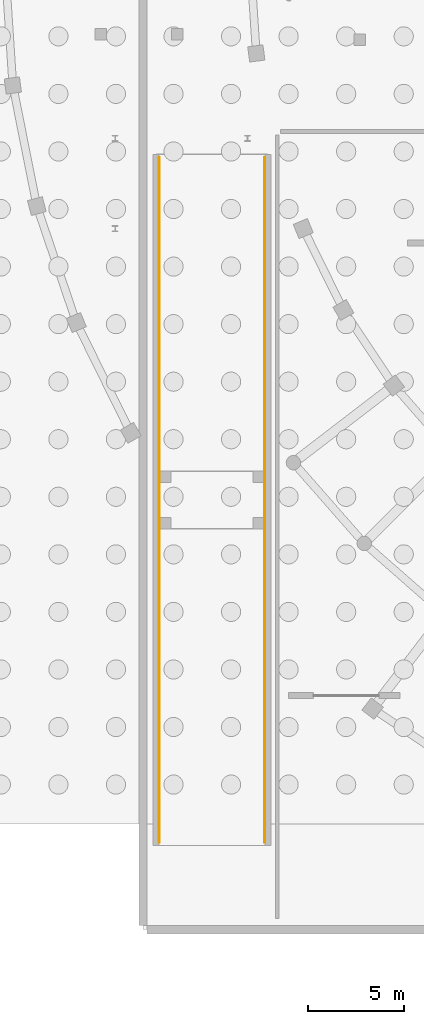
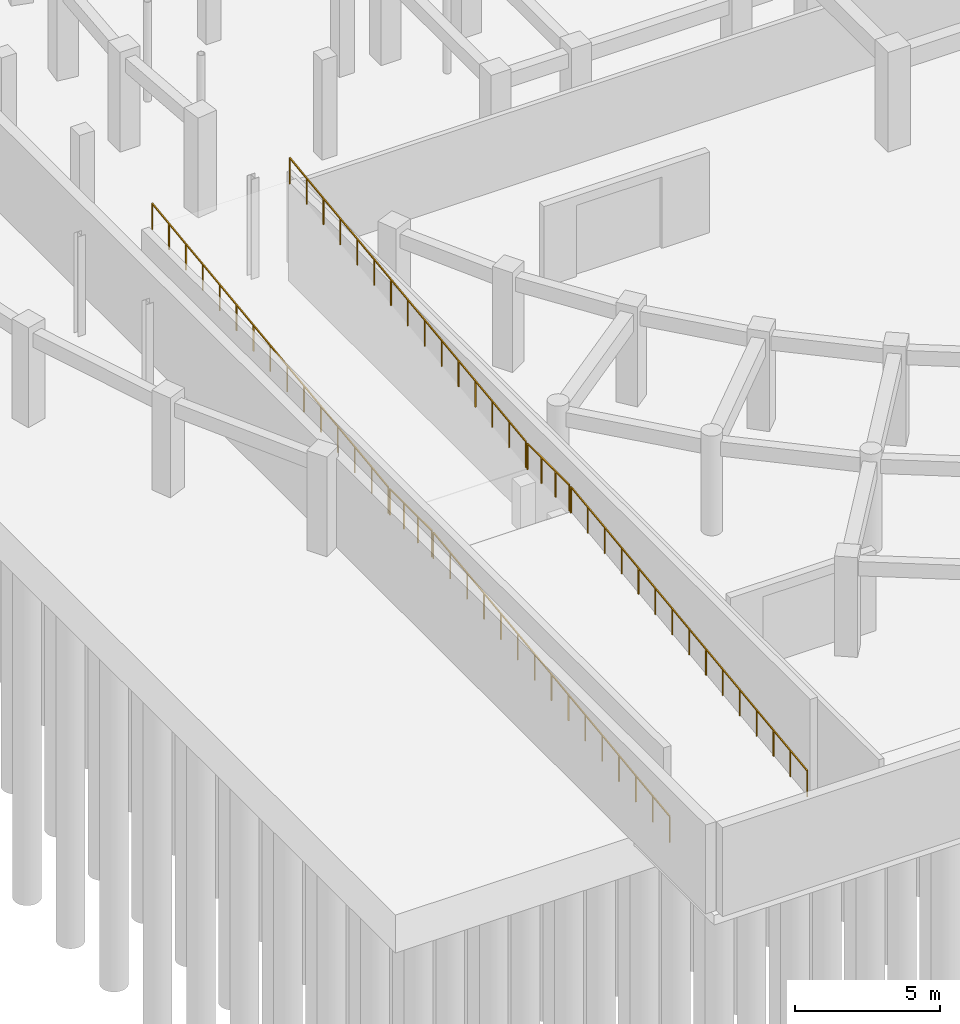
# One storey, part 29 of 33: 6 railings.
"""IFC4 building model written with IfcOpenShell, lengths in metres."""

from ifc_helpers import new_model, si_unit, direction, frame, origin, origin_2d, place, context, subcontext, project, spatial, rectangle, extrude, material, layer, layer_set, type_object, element, save


model = new_model("IFC4")

# Units and contexts
model_context = context("Model", 3, precision=1e-05, world=origin(), true_north=direction((0.0, 1.0)))
body_context = subcontext(model_context, "Body", "Model", "MODEL_VIEW")
ifc_project = project(units=[si_unit("LENGTHUNIT", "METRE"), si_unit("AREAUNIT", "SQUARE_METRE"), si_unit("VOLUMEUNIT", "CUBIC_METRE"), si_unit("PLANEANGLEUNIT", "RADIAN"), si_unit("MASSUNIT", "GRAM", prefix="KILO")], contexts=[model_context])

# Site, building, storey
site_placement = place(None, origin())
site = spatial("IfcSite", under=ifc_project, at=site_placement, CompositionType="ELEMENT")
building_placement = place(site_placement, origin())
building = spatial("IfcBuilding", under=site, at=building_placement, Name="Saryqyr Civic Hall", CompositionType="ELEMENT")
storey_placement = place(building_placement, frame((0.0, 0.0, -4.199951171875)))
storey = spatial("IfcBuildingStorey", under=building, at=storey_placement, Name="B1", CompositionType="ELEMENT", Elevation=-4.199951171875)

# Railings
ifc_material = material(Name="Warm brushed brass and laminated glass", Category="glass")
ifc_layer = layer(ifc_material, 0.06005859375, Name="Warm brushed brass and laminated glass")
ifc_layer_set = layer_set([ifc_layer], Name="Warm brushed brass and laminated glass")
railing_type = type_object("IfcRailingType", Name="INT-RLG-BAL-1100", PredefinedType="BALUSTRADE", material=ifc_layer_set)
railing_1_placement = place(storey_placement, frame((16.06005859375, 38.14990234375, 0.02001953125)))
element("IfcRailing", 1, at=railing_1_placement, inside=storey, type_object=railing_type, Name="Vehicle ramp lower run edge guard 1", PredefinedType="BALUSTRADE", context=body_context, shape_type="SweptSolid", body=[
    extrude(rectangle(XDim=0.048095703125, YDim=0.048095703125, at=origin_2d()), frame((0.0, 0.0, 1.09619140625), z_axis=(0.0, 0.992033906063, 0.125971144396), x_axis=(-1.0, 0.0, 0.0)), (0.0, 0.0, 1.0), 16.430908203125),
    extrude(rectangle(XDim=0.0419921875, YDim=0.0419921875, at=origin_2d()), origin(), (0.0, 0.0, 1.0), 1.072021484375),
    extrude(rectangle(XDim=0.0419921875, YDim=0.0419921875, at=origin_2d()), frame((0.0, 1.164306640625, 0.14794921875)), (0.0, 0.0, 1.0), 1.072021484375),
    extrude(rectangle(XDim=0.0419921875, YDim=0.0419921875, at=origin_2d()), frame((0.0, 2.32861328125, 0.295654296875)), (0.0, 0.0, 1.0), 1.072021484375),
    extrude(rectangle(XDim=0.0419921875, YDim=0.0419921875, at=origin_2d()), frame((0.0, 3.492919921875, 0.443603515625)), (0.0, 0.0, 1.0), 1.072021484375),
    extrude(rectangle(XDim=0.0419921875, YDim=0.0419921875, at=origin_2d()), frame((0.0, 4.6572265625, 0.59130859375)), (0.0, 0.0, 1.0), 1.072021484375),
    extrude(rectangle(XDim=0.0419921875, YDim=0.0419921875, at=origin_2d()), frame((0.0, 5.821533203125, 0.7392578125)), (0.0, 0.0, 1.0), 1.072021484375),
    extrude(rectangle(XDim=0.0419921875, YDim=0.0419921875, at=origin_2d()), frame((0.0, 6.98583984375, 0.886962890625)), (0.0, 0.0, 1.0), 1.072021484375),
    extrude(rectangle(XDim=0.0419921875, YDim=0.0419921875, at=origin_2d()), frame((0.0, 8.14990234375, 1.034912109375)), (0.0, 0.0, 1.0), 1.072021484375),
    extrude(rectangle(XDim=0.0419921875, YDim=0.0419921875, at=origin_2d()), frame((0.0, 9.314208984375, 1.182861328125)), (0.0, 0.0, 1.0), 1.072021484375),
    extrude(rectangle(XDim=0.0419921875, YDim=0.0419921875, at=origin_2d()), frame((0.0, 10.478515625, 1.33056640625)), (0.0, 0.0, 1.0), 1.072021484375),
    extrude(rectangle(XDim=0.0419921875, YDim=0.0419921875, at=origin_2d()), frame((0.0, 11.642822265625, 1.478515625)), (0.0, 0.0, 1.0), 1.072021484375),
    extrude(rectangle(XDim=0.0419921875, YDim=0.0419921875, at=origin_2d()), frame((0.0, 12.80712890625, 1.626220703125)), (0.0, 0.0, 1.0), 1.072021484375),
    extrude(rectangle(XDim=0.0419921875, YDim=0.0419921875, at=origin_2d()), frame((0.0, 13.971435546875, 1.774169921875)), (0.0, 0.0, 1.0), 1.072021484375),
    extrude(rectangle(XDim=0.0419921875, YDim=0.0419921875, at=origin_2d()), frame((0.0, 15.1357421875, 1.921875)), (0.0, 0.0, 1.0), 1.072021484375),
    extrude(rectangle(XDim=0.0419921875, YDim=0.0419921875, at=origin_2d()), frame((0.0, 16.300048828125, 2.06982421875)), (0.0, 0.0, 1.0), 1.072021484375),
])
railing_2_placement = place(storey_placement, frame((16.06005859375, 54.550048828125, 2.099853515625)))
element("IfcRailing", 2, at=railing_2_placement, inside=storey, type_object=railing_type, Name="Vehicle ramp half-landing edge guard 1", PredefinedType="BALUSTRADE", context=body_context, shape_type="SweptSolid", body=[
    extrude(rectangle(XDim=0.048095703125, YDim=0.048095703125, at=origin_2d()), frame((0.0, 0.0, 1.09619140625), z_axis=(0.0, 1.0, 0.0), x_axis=(-1.0, 0.0, 0.0)), (0.0, 0.0, 1.0), 2.89990234375),
    extrude(rectangle(XDim=0.0419921875, YDim=0.0419921875, at=origin_2d()), origin(), (0.0, 0.0, 1.0), 1.072021484375),
    extrude(rectangle(XDim=0.0419921875, YDim=0.0419921875, at=origin_2d()), frame((0.0, 0.966552734375, 0.0)), (0.0, 0.0, 1.0), 1.072021484375),
    extrude(rectangle(XDim=0.0419921875, YDim=0.0419921875, at=origin_2d()), frame((0.0, 1.933349609375, 0.0)), (0.0, 0.0, 1.0), 1.072021484375),
    extrude(rectangle(XDim=0.0419921875, YDim=0.0419921875, at=origin_2d()), frame((0.0, 2.89990234375, 0.0)), (0.0, 0.0, 1.0), 1.072021484375),
])
railing_3_placement = place(storey_placement, frame((16.06005859375, 57.550048828125, 2.10986328125)))
element("IfcRailing", 3, at=railing_3_placement, inside=storey, type_object=railing_type, Name="Vehicle ramp upper run edge guard 1", PredefinedType="BALUSTRADE", context=body_context, shape_type="SweptSolid", body=[
    extrude(rectangle(XDim=0.048095703125, YDim=0.048095703125, at=origin_2d()), frame((0.0, 0.0, 1.09619140625), z_axis=(0.0, 0.992032049116, 0.12598576716), x_axis=(-1.0, 0.0, 0.0)), (0.0, 0.0, 1.0), 16.430908203125),
    extrude(rectangle(XDim=0.0419921875, YDim=0.0419921875, at=origin_2d()), origin(), (0.0, 0.0, 1.0), 1.072021484375),
    extrude(rectangle(XDim=0.0419921875, YDim=0.0419921875, at=origin_2d()), frame((0.0, 1.164306640625, 0.14794921875)), (0.0, 0.0, 1.0), 1.072021484375),
    extrude(rectangle(XDim=0.0419921875, YDim=0.0419921875, at=origin_2d()), frame((0.0, 2.32861328125, 0.295654296875)), (0.0, 0.0, 1.0), 1.072021484375),
    extrude(rectangle(XDim=0.0419921875, YDim=0.0419921875, at=origin_2d()), frame((0.0, 3.492919921875, 0.443603515625)), (0.0, 0.0, 1.0), 1.072021484375),
    extrude(rectangle(XDim=0.0419921875, YDim=0.0419921875, at=origin_2d()), frame((0.0, 4.6572265625, 0.591552734375)), (0.0, 0.0, 1.0), 1.072021484375),
    extrude(rectangle(XDim=0.0419921875, YDim=0.0419921875, at=origin_2d()), frame((0.0, 5.821533203125, 0.7392578125)), (0.0, 0.0, 1.0), 1.072021484375),
    extrude(rectangle(XDim=0.0419921875, YDim=0.0419921875, at=origin_2d()), frame((0.0, 6.98583984375, 0.88720703125)), (0.0, 0.0, 1.0), 1.072021484375),
    extrude(rectangle(XDim=0.0419921875, YDim=0.0419921875, at=origin_2d()), frame((0.0, 8.14990234375, 1.03515625)), (0.0, 0.0, 1.0), 1.072021484375),
    extrude(rectangle(XDim=0.0419921875, YDim=0.0419921875, at=origin_2d()), frame((0.0, 9.314208984375, 1.182861328125)), (0.0, 0.0, 1.0), 1.072021484375),
    extrude(rectangle(XDim=0.0419921875, YDim=0.0419921875, at=origin_2d()), frame((0.0, 10.478515625, 1.330810546875)), (0.0, 0.0, 1.0), 1.072021484375),
    extrude(rectangle(XDim=0.0419921875, YDim=0.0419921875, at=origin_2d()), frame((0.0, 11.642822265625, 1.478515625)), (0.0, 0.0, 1.0), 1.072021484375),
    extrude(rectangle(XDim=0.0419921875, YDim=0.0419921875, at=origin_2d()), frame((0.0, 12.80712890625, 1.62646484375)), (0.0, 0.0, 1.0), 1.072021484375),
    extrude(rectangle(XDim=0.0419921875, YDim=0.0419921875, at=origin_2d()), frame((0.0, 13.971435546875, 1.7744140625)), (0.0, 0.0, 1.0), 1.072021484375),
    extrude(rectangle(XDim=0.0419921875, YDim=0.0419921875, at=origin_2d()), frame((0.0, 15.1357421875, 1.922119140625)), (0.0, 0.0, 1.0), 1.072021484375),
    extrude(rectangle(XDim=0.0419921875, YDim=0.0419921875, at=origin_2d()), frame((0.0, 16.300048828125, 2.070068359375)), (0.0, 0.0, 1.0), 1.072021484375),
])
railing_4_placement = place(storey_placement, frame((21.5400390625, 38.14990234375, 0.02001953125)))
element("IfcRailing", 4, at=railing_4_placement, inside=storey, type_object=railing_type, Name="Vehicle ramp lower run edge guard 2", PredefinedType="BALUSTRADE", context=body_context, shape_type="SweptSolid", body=[
    extrude(rectangle(XDim=0.048095703125, YDim=0.048095703125, at=origin_2d()), frame((0.0, 0.0, 1.09619140625), z_axis=(0.0, 0.992033906063, 0.125971144396), x_axis=(-1.0, 0.0, 0.0)), (0.0, 0.0, 1.0), 16.430908203125),
    extrude(rectangle(XDim=0.0419921875, YDim=0.0419921875, at=origin_2d()), origin(), (0.0, 0.0, 1.0), 1.072021484375),
    extrude(rectangle(XDim=0.0419921875, YDim=0.0419921875, at=origin_2d()), frame((0.0, 1.164306640625, 0.14794921875)), (0.0, 0.0, 1.0), 1.072021484375),
    extrude(rectangle(XDim=0.0419921875, YDim=0.0419921875, at=origin_2d()), frame((0.0, 2.32861328125, 0.295654296875)), (0.0, 0.0, 1.0), 1.072021484375),
    extrude(rectangle(XDim=0.0419921875, YDim=0.0419921875, at=origin_2d()), frame((0.0, 3.492919921875, 0.443603515625)), (0.0, 0.0, 1.0), 1.072021484375),
    extrude(rectangle(XDim=0.0419921875, YDim=0.0419921875, at=origin_2d()), frame((0.0, 4.6572265625, 0.59130859375)), (0.0, 0.0, 1.0), 1.072021484375),
    extrude(rectangle(XDim=0.0419921875, YDim=0.0419921875, at=origin_2d()), frame((0.0, 5.821533203125, 0.7392578125)), (0.0, 0.0, 1.0), 1.072021484375),
    extrude(rectangle(XDim=0.0419921875, YDim=0.0419921875, at=origin_2d()), frame((0.0, 6.98583984375, 0.886962890625)), (0.0, 0.0, 1.0), 1.072021484375),
    extrude(rectangle(XDim=0.0419921875, YDim=0.0419921875, at=origin_2d()), frame((0.0, 8.14990234375, 1.034912109375)), (0.0, 0.0, 1.0), 1.072021484375),
    extrude(rectangle(XDim=0.0419921875, YDim=0.0419921875, at=origin_2d()), frame((0.0, 9.314208984375, 1.182861328125)), (0.0, 0.0, 1.0), 1.072021484375),
    extrude(rectangle(XDim=0.0419921875, YDim=0.0419921875, at=origin_2d()), frame((0.0, 10.478515625, 1.33056640625)), (0.0, 0.0, 1.0), 1.072021484375),
    extrude(rectangle(XDim=0.0419921875, YDim=0.0419921875, at=origin_2d()), frame((0.0, 11.642822265625, 1.478515625)), (0.0, 0.0, 1.0), 1.072021484375),
    extrude(rectangle(XDim=0.0419921875, YDim=0.0419921875, at=origin_2d()), frame((0.0, 12.80712890625, 1.626220703125)), (0.0, 0.0, 1.0), 1.072021484375),
    extrude(rectangle(XDim=0.0419921875, YDim=0.0419921875, at=origin_2d()), frame((0.0, 13.971435546875, 1.774169921875)), (0.0, 0.0, 1.0), 1.072021484375),
    extrude(rectangle(XDim=0.0419921875, YDim=0.0419921875, at=origin_2d()), frame((0.0, 15.1357421875, 1.921875)), (0.0, 0.0, 1.0), 1.072021484375),
    extrude(rectangle(XDim=0.0419921875, YDim=0.0419921875, at=origin_2d()), frame((0.0, 16.300048828125, 2.06982421875)), (0.0, 0.0, 1.0), 1.072021484375),
])
railing_5_placement = place(storey_placement, frame((21.5400390625, 54.550048828125, 2.099853515625)))
element("IfcRailing", 5, at=railing_5_placement, inside=storey, type_object=railing_type, Name="Vehicle ramp half-landing edge guard 2", PredefinedType="BALUSTRADE", context=body_context, shape_type="SweptSolid", body=[
    extrude(rectangle(XDim=0.048095703125, YDim=0.048095703125, at=origin_2d()), frame((0.0, 0.0, 1.09619140625), z_axis=(0.0, 1.0, 0.0), x_axis=(-1.0, 0.0, 0.0)), (0.0, 0.0, 1.0), 2.89990234375),
    extrude(rectangle(XDim=0.0419921875, YDim=0.0419921875, at=origin_2d()), origin(), (0.0, 0.0, 1.0), 1.072021484375),
    extrude(rectangle(XDim=0.0419921875, YDim=0.0419921875, at=origin_2d()), frame((0.0, 0.966552734375, 0.0)), (0.0, 0.0, 1.0), 1.072021484375),
    extrude(rectangle(XDim=0.0419921875, YDim=0.0419921875, at=origin_2d()), frame((0.0, 1.933349609375, 0.0)), (0.0, 0.0, 1.0), 1.072021484375),
    extrude(rectangle(XDim=0.0419921875, YDim=0.0419921875, at=origin_2d()), frame((0.0, 2.89990234375, 0.0)), (0.0, 0.0, 1.0), 1.072021484375),
])
railing_6_placement = place(storey_placement, frame((21.5400390625, 57.550048828125, 2.10986328125)))
element("IfcRailing", 6, at=railing_6_placement, inside=storey, type_object=railing_type, Name="Vehicle ramp upper run edge guard 2", PredefinedType="BALUSTRADE", context=body_context, shape_type="SweptSolid", body=[
    extrude(rectangle(XDim=0.048095703125, YDim=0.048095703125, at=origin_2d()), frame((0.0, 0.0, 1.09619140625), z_axis=(0.0, 0.992032049116, 0.12598576716), x_axis=(-1.0, 0.0, 0.0)), (0.0, 0.0, 1.0), 16.430908203125),
    extrude(rectangle(XDim=0.0419921875, YDim=0.0419921875, at=origin_2d()), origin(), (0.0, 0.0, 1.0), 1.072021484375),
    extrude(rectangle(XDim=0.0419921875, YDim=0.0419921875, at=origin_2d()), frame((0.0, 1.164306640625, 0.14794921875)), (0.0, 0.0, 1.0), 1.072021484375),
    extrude(rectangle(XDim=0.0419921875, YDim=0.0419921875, at=origin_2d()), frame((0.0, 2.32861328125, 0.295654296875)), (0.0, 0.0, 1.0), 1.072021484375),
    extrude(rectangle(XDim=0.0419921875, YDim=0.0419921875, at=origin_2d()), frame((0.0, 3.492919921875, 0.443603515625)), (0.0, 0.0, 1.0), 1.072021484375),
    extrude(rectangle(XDim=0.0419921875, YDim=0.0419921875, at=origin_2d()), frame((0.0, 4.6572265625, 0.591552734375)), (0.0, 0.0, 1.0), 1.072021484375),
    extrude(rectangle(XDim=0.0419921875, YDim=0.0419921875, at=origin_2d()), frame((0.0, 5.821533203125, 0.7392578125)), (0.0, 0.0, 1.0), 1.072021484375),
    extrude(rectangle(XDim=0.0419921875, YDim=0.0419921875, at=origin_2d()), frame((0.0, 6.98583984375, 0.88720703125)), (0.0, 0.0, 1.0), 1.072021484375),
    extrude(rectangle(XDim=0.0419921875, YDim=0.0419921875, at=origin_2d()), frame((0.0, 8.14990234375, 1.03515625)), (0.0, 0.0, 1.0), 1.072021484375),
    extrude(rectangle(XDim=0.0419921875, YDim=0.0419921875, at=origin_2d()), frame((0.0, 9.314208984375, 1.182861328125)), (0.0, 0.0, 1.0), 1.072021484375),
    extrude(rectangle(XDim=0.0419921875, YDim=0.0419921875, at=origin_2d()), frame((0.0, 10.478515625, 1.330810546875)), (0.0, 0.0, 1.0), 1.072021484375),
    extrude(rectangle(XDim=0.0419921875, YDim=0.0419921875, at=origin_2d()), frame((0.0, 11.642822265625, 1.478515625)), (0.0, 0.0, 1.0), 1.072021484375),
    extrude(rectangle(XDim=0.0419921875, YDim=0.0419921875, at=origin_2d()), frame((0.0, 12.80712890625, 1.62646484375)), (0.0, 0.0, 1.0), 1.072021484375),
    extrude(rectangle(XDim=0.0419921875, YDim=0.0419921875, at=origin_2d()), frame((0.0, 13.971435546875, 1.7744140625)), (0.0, 0.0, 1.0), 1.072021484375),
    extrude(rectangle(XDim=0.0419921875, YDim=0.0419921875, at=origin_2d()), frame((0.0, 15.1357421875, 1.922119140625)), (0.0, 0.0, 1.0), 1.072021484375),
    extrude(rectangle(XDim=0.0419921875, YDim=0.0419921875, at=origin_2d()), frame((0.0, 16.300048828125, 2.070068359375)), (0.0, 0.0, 1.0), 1.072021484375),
])

save(model, "model.ifc")
